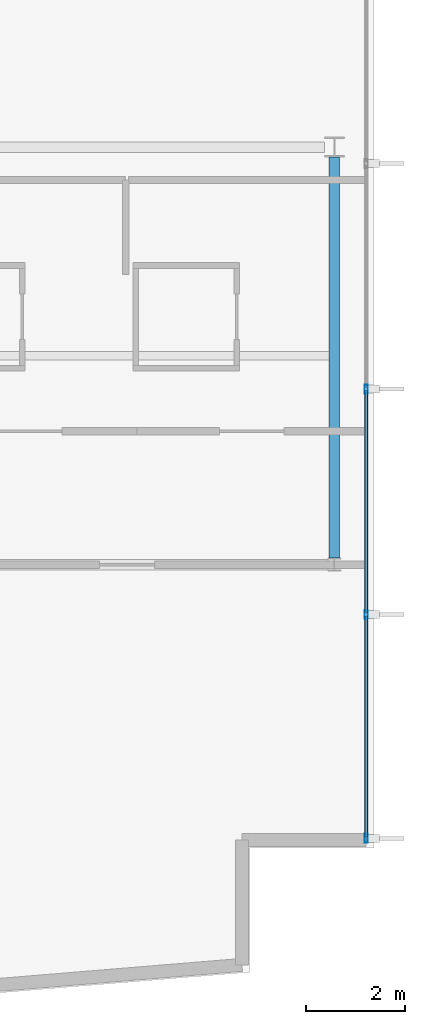
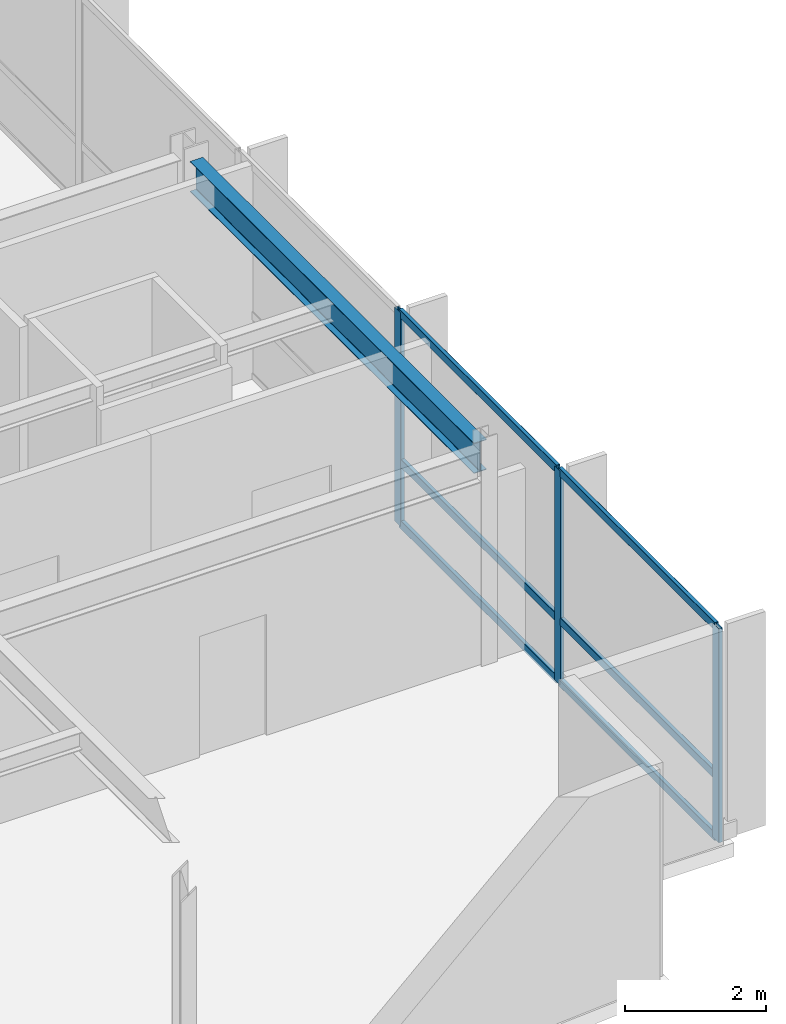
# One storey, part 5 of 17: 9 members, 1 beam, 1 element without a shape of its own.
"""IFC4 building model written with IfcOpenShell, lengths in metres."""

import ifcopenshell
import ifcopenshell.guid

model = None  # the IFC model being written
_history = None  # IfcOwnerHistory: only IFC2X3 demands one
_inside = {}  # id of a spatial element -> (the spatial element, [elements in it])
_under = {}  # id of a project, library or spatial element -> (it, [spatial elements below it])
_declared = {}  # id of a project -> (the project, [libraries it declares])
_typed = {}  # id of a type object -> (the type object, [elements of that type])
_made_of = {}  # id of a material, layer set ... -> (it, [elements and type objects made of it])


def new_model(schema):
    """Start an empty IFC model of exactly this schema.

    Asked for "IFC4X3", IfcOpenShell would pick the latest addendum, in which some entities
    have other attributes; the version numbers below select the first issue.
    IFC2X3 requires an IfcOwnerHistory on every rooted entity: one is made here for all.
    """
    global model, _history
    if schema == "IFC4X3":
        model = ifcopenshell.file(schema_version=(4, 3, 0, 0))
    else:
        model = ifcopenshell.file(schema=schema)
    _inside.clear()
    _under.clear()
    _declared.clear()
    _typed.clear()
    _made_of.clear()
    _history = None
    if model.schema == "IFC2X3":
        org = make("IfcOrganization", Name="unknown")
        user = make(
            "IfcPersonAndOrganization",
            ThePerson=make("IfcPerson", FamilyName="unknown"),
            TheOrganization=org,
        )
        app = make(
            "IfcApplication",
            ApplicationDeveloper=org,
            Version="unknown",
            ApplicationFullName="unknown",
            ApplicationIdentifier="unknown",
        )
        _history = make(
            "IfcOwnerHistory",
            OwningUser=user,
            OwningApplication=app,
            ChangeAction="ADDED",
            CreationDate=0,
        )
    return model


def make(cls, **values):
    """One entity of the class cls with the attributes given. An attribute that is None is left unset."""
    return model.create_entity(
        cls, **{name: value for name, value in values.items() if value is not None}
    )


def rooted(cls, **values):
    """An entity with a GlobalId (a new one), such as an element, a storey or a relation."""
    return make(cls, GlobalId=ifcopenshell.guid.new(), OwnerHistory=_history, **values)


def si_unit(unit_type, name, prefix=None):
    """IfcSIUnit, for example si_unit("LENGTHUNIT", "METRE", prefix="MILLI")."""
    return make("IfcSIUnit", UnitType=unit_type, Prefix=prefix, Name=name)


def assignment(units):
    """IfcUnitAssignment: the units of a project."""
    return None if units is None else make("IfcUnitAssignment", Units=units)


def point(xyz):
    """IfcCartesianPoint."""
    return None if xyz is None else make("IfcCartesianPoint", Coordinates=xyz)


def direction(xyz):
    """IfcDirection."""
    return None if xyz is None else make("IfcDirection", DirectionRatios=xyz)


def frame(location, z_axis=None, x_axis=None):
    """IfcAxis2Placement3D, a coordinate frame: its origin and axes. An axis left out is left unset."""
    return make(
        "IfcAxis2Placement3D",
        Location=point(location),
        Axis=direction(z_axis),
        RefDirection=direction(x_axis),
    )


def frame_2d(location, x_axis=None):
    """IfcAxis2Placement2D, a coordinate frame in the plane: its origin and x axis."""
    return make(
        "IfcAxis2Placement2D", Location=point(location), RefDirection=direction(x_axis)
    )


def origin():
    """The frame at (0, 0, 0) with its axes left unset."""
    return frame((0.0, 0.0, 0.0))


def origin_2d():
    """The frame at (0, 0) in the plane with its x axis left unset."""
    return frame_2d((0.0, 0.0))


def place(relative_to, where):
    """IfcLocalPlacement: puts the frame where relative to a parent placement (None: the world)."""
    return make(
        "IfcLocalPlacement", PlacementRelTo=relative_to, RelativePlacement=where
    )


def context(
    kind, dimensions, precision=None, world=None, true_north=None, identifier=None
):
    """IfcGeometricRepresentationContext, for example the 3D "Model" context."""
    return make(
        "IfcGeometricRepresentationContext",
        ContextIdentifier=identifier,
        ContextType=kind,
        CoordinateSpaceDimension=dimensions,
        Precision=precision,
        WorldCoordinateSystem=world,
        TrueNorth=true_north,
    )


def subcontext(parent, identifier, kind, view, scale=None):
    """IfcGeometricRepresentationSubContext, for example "Body" below "Model"."""
    return make(
        "IfcGeometricRepresentationSubContext",
        ContextIdentifier=identifier,
        ContextType=kind,
        ParentContext=parent,
        TargetScale=scale,
        TargetView=view,
    )


def project(units=None, contexts=None):
    """IfcProject with its units and contexts."""
    return rooted(
        "IfcProject",
        Name="project",
        RepresentationContexts=contexts,
        UnitsInContext=assignment(units),
    )


def spatial(cls, under=None, at=None, **own):
    """A site, building, storey or space (cls), placed at a placement, below another one or the project."""
    s = rooted(cls, ObjectPlacement=at, **own)
    if under is not None:
        _under.setdefault(under.id(), (under, []))[1].append(s)
    return s


def profile(cls, at=None, kind="AREA", **sizes):
    """A parametric profile (cls). Its sizes go by their IFC names, for example OverallWidth=200.0."""
    return make(cls, ProfileType=kind, Position=at, **sizes)


def hollow_rectangle(**sizes):
    """IfcRectangleHollowProfileDef."""
    return profile("IfcRectangleHollowProfileDef", **sizes)


def i_section(**sizes):
    """IfcIShapeProfileDef."""
    return profile("IfcIShapeProfileDef", **sizes)


def extrude(swept, where, along, depth):
    """IfcExtrudedAreaSolid: the profile swept, set in the frame where, extruded along a direction by depth."""
    return make(
        "IfcExtrudedAreaSolid",
        SweptArea=swept,
        Position=where,
        ExtrudedDirection=direction(along),
        Depth=depth,
    )


def shape(context_of_items, identifier, shape_type, items):
    """IfcShapeRepresentation: the items that make up one representation, for example the "Body"."""
    return make(
        "IfcShapeRepresentation",
        ContextOfItems=context_of_items,
        RepresentationIdentifier=identifier,
        RepresentationType=shape_type,
        Items=items,
    )


def material(Name=None, Category=None):
    """IfcMaterial."""
    return make("IfcMaterial", Name=Name, Category=Category)


def layer(
    of_material, thickness, ventilated=None, Name=None, Category=None, Priority=None
):
    """IfcMaterialLayer: one layer of a wall or slab, of a material (None: an air gap)."""
    return make(
        "IfcMaterialLayer",
        Material=of_material,
        LayerThickness=thickness,
        IsVentilated=ventilated,
        Name=Name,
        Category=Category,
        Priority=Priority,
    )


def layer_set(layers, Name=None):
    """IfcMaterialLayerSet."""
    return make("IfcMaterialLayerSet", MaterialLayers=layers, LayerSetName=Name)


def material_profile(
    of_material, cross_section, Name=None, Category=None, Priority=None
):
    """IfcMaterialProfile: a cross section and its material."""
    return make(
        "IfcMaterialProfile",
        Name=Name,
        Material=of_material,
        Profile=cross_section,
        Priority=Priority,
        Category=Category,
    )


def profile_set(profiles, Name=None, composite=None):
    """IfcMaterialProfileSet."""
    return make(
        "IfcMaterialProfileSet",
        Name=Name,
        MaterialProfiles=profiles,
        CompositeProfile=composite,
    )


def made_of(thing, what):
    """Note that an element or type object is made of a material, layer set ...; save() writes the relation."""
    if what is not None:
        _made_of.setdefault(what.id(), (what, []))[1].append(thing)
    return thing


def type_object(cls, material=None, **own):
    """A type object (cls), such as IfcWallType, which elements share."""
    return made_of(rooted(cls, **own), material)


def element(
    cls,
    number,
    at=None,
    inside=None,
    cuts=None,
    type_object=None,
    material=None,
    context=None,
    identifier="Body",
    shape_type=None,
    held_by="IfcProductDefinitionShape",
    body=None,
    shapes=None,
    **own,
):
    """One element of the class cls, such as IfcWall. Its Tag is "e" and its number.

    at: its placement. inside: the storey or other place that contains it. cuts: it is an
    opening in that element (IfcRelVoidsElement). A single representation is given by context,
    identifier, shape_type and body (its items); several are given by shapes. held_by: the class
    of the entity that holds the representations. save() writes the other relations.
    """
    e = rooted(cls, Tag="e%d" % number, ObjectPlacement=at, **own)
    if body is not None:
        shapes = [shape(context, identifier, shape_type, body)]
    if shapes is not None:
        e.Representation = make(held_by, Representations=shapes)
    if inside is not None:
        _inside.setdefault(inside.id(), (inside, []))[1].append(e)
    if cuts is not None:
        rooted(
            "IfcRelVoidsElement", RelatingBuildingElement=cuts, RelatedOpeningElement=e
        )
    if type_object is not None:
        _typed.setdefault(type_object.id(), (type_object, []))[1].append(e)
    return made_of(e, material)


def aggregate(whole, parts):
    """IfcRelAggregates: a whole, such as a stair, and the parts it consists of."""
    return rooted("IfcRelAggregates", RelatingObject=whole, RelatedObjects=parts)


def save(model, path):
    """Write the relations noted so far, then the file.

    IfcRelAggregates (storeys below a building ...), IfcRelContainedInSpatialStructure (elements
    in a storey), IfcRelDefinesByType, IfcRelAssociatesMaterial and IfcRelDeclares: one each for
    every whole, place, type object, material and project.
    """
    for whole, parts in _under.values():
        aggregate(whole, parts)
    for where, things in _inside.values():
        rooted(
            "IfcRelContainedInSpatialStructure",
            RelatedElements=things,
            RelatingStructure=where,
        )
    for kind, things in _typed.values():
        rooted("IfcRelDefinesByType", RelatedObjects=things, RelatingType=kind)
    for what, things in _made_of.values():
        rooted("IfcRelAssociatesMaterial", RelatedObjects=things, RelatingMaterial=what)
    for by, libraries in _declared.values():
        rooted("IfcRelDeclares", RelatingContext=by, RelatedDefinitions=libraries)
    model.write(path)


model = new_model("IFC4")

# Units and contexts
model_context = context("Model", 3, precision=1e-05, world=origin(), true_north=direction((0.0, 1.0)))
body_context = subcontext(model_context, "Body", "Model", "MODEL_VIEW")
ifc_project = project(units=[si_unit("LENGTHUNIT", "METRE"), si_unit("AREAUNIT", "SQUARE_METRE"), si_unit("VOLUMEUNIT", "CUBIC_METRE"), si_unit("PLANEANGLEUNIT", "RADIAN"), si_unit("MASSUNIT", "GRAM", prefix="KILO")], contexts=[model_context])

# Site, building, storey
site_placement = place(None, origin())
site = spatial("IfcSite", under=ifc_project, at=site_placement, CompositionType="ELEMENT")
building_placement = place(site_placement, origin())
building = spatial("IfcBuilding", under=site, at=building_placement, Name="Varnakote Quay Hospital", CompositionType="ELEMENT")
storey_placement = place(building_placement, frame((0.0, 0.0, 227.64990234375)))
storey = spatial("IfcBuildingStorey", under=building, at=storey_placement, Name="L56", CompositionType="ELEMENT", Elevation=227.64990234375)

# Beam
ifc_material_1 = material(Name="Structural steel AS/NZS 3679.1 Grade 350 L0 (fy 340 MPa)", Category="steel")
ifc_material_profile_1 = material_profile(ifc_material_1, i_section(OverallWidth=0.208984375, OverallDepth=0.528076171875, WebThickness=0.009521484375, FlangeThickness=0.01318359375, FilletRadius=0.013916015625, at=origin_2d()), Name="530UB82.0")
ifc_profile_set_1 = profile_set([ifc_material_profile_1], Name="Structural steel AS/NZS 3679.1 Grade 350 L0 (fy 340 MPa)")
beam_type = type_object("IfcBeamType", Name="BM-STL-530UB82-0", PredefinedType="BEAM", material=ifc_profile_set_1)
beam_placement = place(storey_placement, frame((50.39990234375, 12.1298828125, 3.446044921875), z_axis=(0.0, 1.0, 0.0), x_axis=(-1.0, 0.0, 0.0)))
element("IfcBeam", 1, at=beam_placement, inside=storey, type_object=beam_type, Name="L56 Primary Tie Beam", PredefinedType="BEAM", context=body_context, shape_type="SweptSolid", body=[
    extrude(i_section(OverallWidth=0.208984375, OverallDepth=0.528076171875, WebThickness=0.009521484375, FlangeThickness=0.01318359375, FilletRadius=0.013916015625, at=origin_2d()), origin(), (0.0, 0.0, 1.0), 8.068115234375),
])

# Curtain wall, members
ifc_material_2 = material(Name="Anodised aluminium 6063-T6 Bronze", Category="aluminium")
ifc_layer = layer(ifc_material_2, 0.219970703125)
ifc_layer_set = layer_set([ifc_layer], Name="Anodised aluminium 6063-T6 Bronze")
curtain_wall_type = type_object("IfcCurtainWallType", Name="CW-SYS-4", PredefinedType="NOTDEFINED", material=ifc_layer_set)
curtain_wall_placement = place(storey_placement, origin())
curtain_wall = element("IfcCurtainWall", 2, at=curtain_wall_placement, inside=storey, type_object=curtain_wall_type, Name="L56 Unitised Bronze Curtain Wall 1", PredefinedType="NOTDEFINED")
ifc_material_3 = material(Name="Anodised aluminium 6063-T6 Bronze", Category="aluminium")
ifc_material_profile_2 = material_profile(ifc_material_3, hollow_rectangle(XDim=0.06494140625, YDim=0.179931640625, WallThickness=0.00390625, InnerFilletRadius=0.00390625, OuterFilletRadius=0.008056640625, at=origin_2d()), Name="CW-MULL-180x65")
ifc_profile_set_2 = profile_set([ifc_material_profile_2], Name="Anodised aluminium 6063-T6 Bronze")
member_type_1 = type_object("IfcMemberType", Name="CW-MULL-180x65", PredefinedType="MULLION", material=ifc_profile_set_2)
member_1_placement = place(storey_placement, frame((51.0400390625, 6.492431640625, 0.0), z_axis=(0.0, 0.0, 1.0), x_axis=(-1.0, 0.0, 0.0)))
member_1 = element("IfcMember", 3, at=member_1_placement, type_object=member_type_1, Name="-4-L56-1 mullion 1", PredefinedType="MULLION", context=body_context, shape_type="SweptSolid", body=[
    extrude(hollow_rectangle(XDim=0.06494140625, YDim=0.179931640625, WallThickness=0.00390625, InnerFilletRadius=0.00390625, OuterFilletRadius=0.008056640625, at=origin_2d()), origin(), (0.0, 0.0, 1.0), 3.710205078125),
])
member_2_placement = place(storey_placement, frame((51.0400390625, 10.99609375, 0.0), z_axis=(0.0, 0.0, 1.0), x_axis=(-1.0, 0.0, 0.0)))
member_2 = element("IfcMember", 4, at=member_2_placement, type_object=member_type_1, Name="-4-L56-1 mullion 2", PredefinedType="MULLION", context=body_context, shape_type="SweptSolid", body=[
    extrude(hollow_rectangle(XDim=0.06494140625, YDim=0.179931640625, WallThickness=0.00390625, InnerFilletRadius=0.00390625, OuterFilletRadius=0.008056640625, at=origin_2d()), origin(), (0.0, 0.0, 1.0), 3.710205078125),
])
member_3_placement = place(storey_placement, frame((51.0400390625, 15.531982421875, 0.0), z_axis=(0.0, 0.0, 1.0), x_axis=(-1.0, 0.0, 0.0)))
member_3 = element("IfcMember", 5, at=member_3_placement, type_object=member_type_1, Name="-4-L56-1 mullion 3", PredefinedType="MULLION", context=body_context, shape_type="SweptSolid", body=[
    extrude(hollow_rectangle(XDim=0.06494140625, YDim=0.179931640625, WallThickness=0.00390625, InnerFilletRadius=0.00390625, OuterFilletRadius=0.008056640625, at=origin_2d()), origin(), (0.0, 0.0, 1.0), 3.710205078125),
])
ifc_material_4 = material(Name="Anodised aluminium 6063-T6 Bronze", Category="aluminium")
ifc_material_profile_3 = material_profile(ifc_material_4, hollow_rectangle(XDim=0.06494140625, YDim=0.139892578125, WallThickness=0.00390625, InnerFilletRadius=0.00390625, OuterFilletRadius=0.007568359375, at=origin_2d()), Name="CW-TRAN-140x65")
ifc_profile_set_3 = profile_set([ifc_material_profile_3], Name="Anodised aluminium 6063-T6 Bronze")
member_type_2 = type_object("IfcMemberType", Name="CW-TRAN-140x65", PredefinedType="USERDEFINED", material=ifc_profile_set_3)
member_4_placement = place(storey_placement, frame((51.0400390625, 6.52490234375, 0.03271484375), z_axis=(0.0, 1.0, 0.0), x_axis=(-1.0, 0.0, 0.0)))
member_4 = element("IfcMember", 6, at=member_4_placement, type_object=member_type_2, Name="-4-L56-1 transom 1.1", ObjectType="TRANSOM", PredefinedType="USERDEFINED", context=body_context, shape_type="SweptSolid", body=[
    extrude(hollow_rectangle(XDim=0.06494140625, YDim=0.139892578125, WallThickness=0.00390625, InnerFilletRadius=0.00390625, OuterFilletRadius=0.007568359375, at=origin_2d()), origin(), (0.0, 0.0, 1.0), 4.4384765625),
])
member_5_placement = place(storey_placement, frame((51.0400390625, 6.52490234375, 1.10009765625), z_axis=(0.0, 1.0, 0.0), x_axis=(-1.0, 0.0, 0.0)))
member_5 = element("IfcMember", 7, at=member_5_placement, type_object=member_type_2, Name="-4-L56-1 transom 1.2", ObjectType="TRANSOM", PredefinedType="USERDEFINED", context=body_context, shape_type="SweptSolid", body=[
    extrude(hollow_rectangle(XDim=0.06494140625, YDim=0.139892578125, WallThickness=0.00390625, InnerFilletRadius=0.00390625, OuterFilletRadius=0.007568359375, at=origin_2d()), origin(), (0.0, 0.0, 1.0), 4.4384765625),
])
member_6_placement = place(storey_placement, frame((51.0400390625, 6.52490234375, 3.677490234375), z_axis=(0.0, 1.0, 0.0), x_axis=(-1.0, 0.0, 0.0)))
member_6 = element("IfcMember", 8, at=member_6_placement, type_object=member_type_2, Name="-4-L56-1 transom 1.3", ObjectType="TRANSOM", PredefinedType="USERDEFINED", context=body_context, shape_type="SweptSolid", body=[
    extrude(hollow_rectangle(XDim=0.06494140625, YDim=0.139892578125, WallThickness=0.00390625, InnerFilletRadius=0.00390625, OuterFilletRadius=0.007568359375, at=origin_2d()), origin(), (0.0, 0.0, 1.0), 4.4384765625),
])
member_7_placement = place(storey_placement, frame((51.0400390625, 11.028564453125, 0.03271484375), z_axis=(0.0, 1.0, 0.0), x_axis=(-1.0, 0.0, 0.0)))
member_7 = element("IfcMember", 9, at=member_7_placement, type_object=member_type_2, Name="-4-L56-1 transom 2.1", ObjectType="TRANSOM", PredefinedType="USERDEFINED", context=body_context, shape_type="SweptSolid", body=[
    extrude(hollow_rectangle(XDim=0.06494140625, YDim=0.139892578125, WallThickness=0.00390625, InnerFilletRadius=0.00390625, OuterFilletRadius=0.007568359375, at=origin_2d()), origin(), (0.0, 0.0, 1.0), 4.470947265625),
])
member_8_placement = place(storey_placement, frame((51.0400390625, 11.028564453125, 1.10009765625), z_axis=(0.0, 1.0, 0.0), x_axis=(-1.0, 0.0, 0.0)))
member_8 = element("IfcMember", 10, at=member_8_placement, type_object=member_type_2, Name="-4-L56-1 transom 2.2", ObjectType="TRANSOM", PredefinedType="USERDEFINED", context=body_context, shape_type="SweptSolid", body=[
    extrude(hollow_rectangle(XDim=0.06494140625, YDim=0.139892578125, WallThickness=0.00390625, InnerFilletRadius=0.00390625, OuterFilletRadius=0.007568359375, at=origin_2d()), origin(), (0.0, 0.0, 1.0), 4.470947265625),
])
member_9_placement = place(storey_placement, frame((51.0400390625, 11.028564453125, 3.677490234375), z_axis=(0.0, 1.0, 0.0), x_axis=(-1.0, 0.0, 0.0)))
member_9 = element("IfcMember", 11, at=member_9_placement, type_object=member_type_2, Name="-4-L56-1 transom 2.3", ObjectType="TRANSOM", PredefinedType="USERDEFINED", context=body_context, shape_type="SweptSolid", body=[
    extrude(hollow_rectangle(XDim=0.06494140625, YDim=0.139892578125, WallThickness=0.00390625, InnerFilletRadius=0.00390625, OuterFilletRadius=0.007568359375, at=origin_2d()), origin(), (0.0, 0.0, 1.0), 4.470947265625),
])
aggregate(curtain_wall, [member_1, member_2, member_3, member_4, member_5, member_6, member_7, member_8, member_9])

save(model, "model.ifc")
